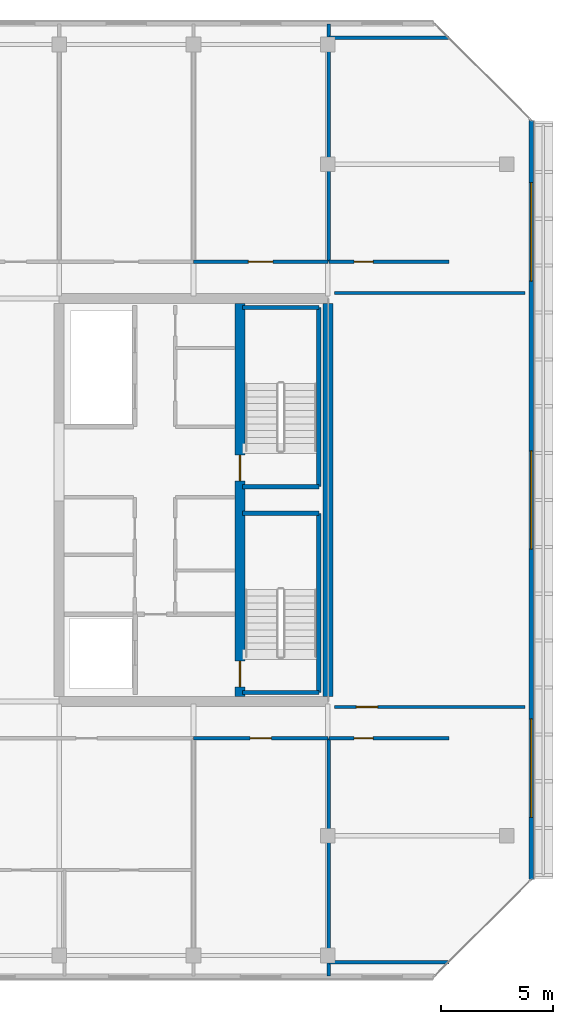
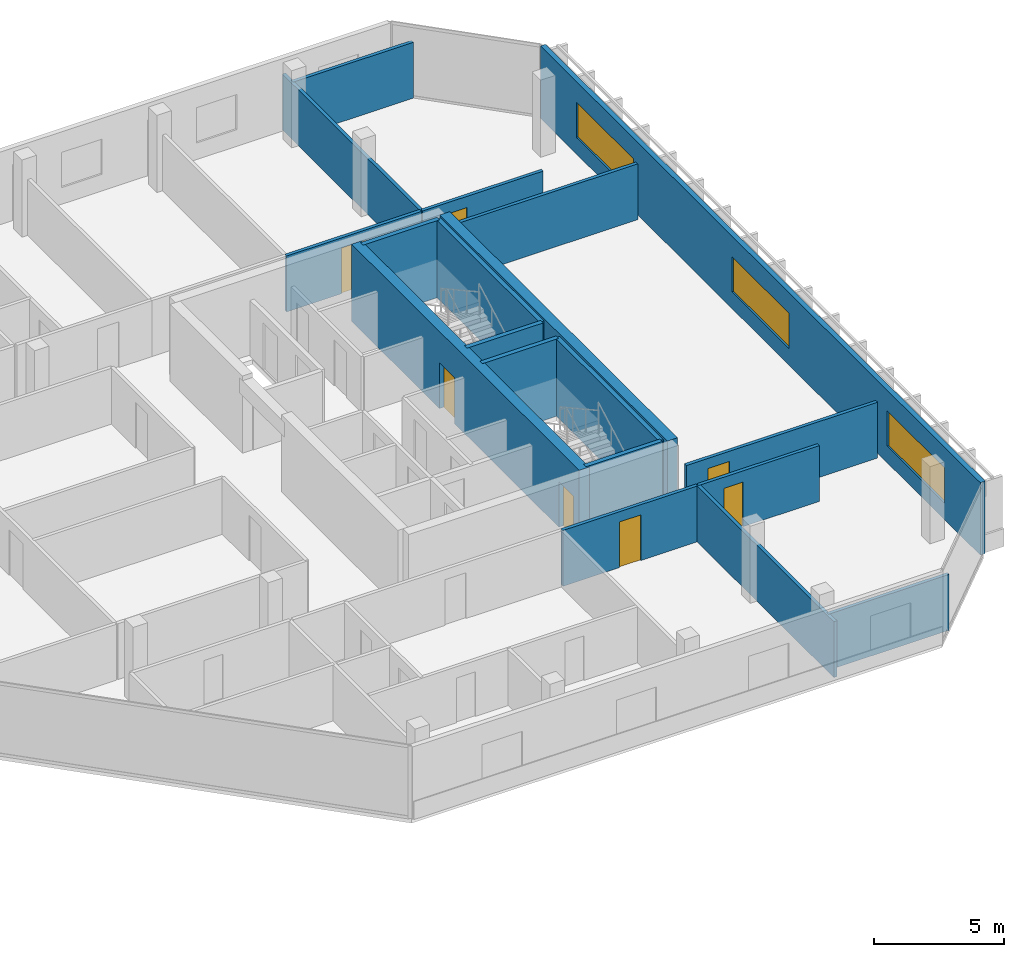
# One storey, part 24 of 28: 19 walls, 7 doors, 3 windows, 10 openings.
"""IFC4 building model written with IfcOpenShell, lengths in metres."""

from ifc_helpers import new_model, si_unit, direction, frame, frame_2d, origin, place, context, subcontext, project, spatial, rectangle, extrude, material, layer, layer_set, type_object, element, fill, save


model = new_model("IFC4")

# Units and contexts
model_context = context("Model", 3, precision=1e-05, world=origin(), true_north=direction((0.0, 1.0)))
body_context = subcontext(model_context, "Body", "Model", "MODEL_VIEW")
ifc_project = project(units=[si_unit("LENGTHUNIT", "METRE"), si_unit("AREAUNIT", "SQUARE_METRE"), si_unit("VOLUMEUNIT", "CUBIC_METRE"), si_unit("PLANEANGLEUNIT", "RADIAN"), si_unit("MASSUNIT", "GRAM", prefix="KILO")], contexts=[model_context])

# Site, building, storey
site_placement = place(None, origin())
site = spatial("IfcSite", under=ifc_project, at=site_placement, CompositionType="ELEMENT")
building_placement = place(site_placement, origin())
building = spatial("IfcBuilding", under=site, at=building_placement, Name="Tanjung Sevakor Pilgrim Tower", CompositionType="ELEMENT")
storey_placement = place(building_placement, frame((0.0, 0.0, 246.179931640625)))
storey = spatial("IfcBuildingStorey", under=building, at=storey_placement, Name="L69", CompositionType="ELEMENT", Elevation=246.179931640625)

# Wall
ifc_material_1 = material(Name="Concrete C60/75", Category="concrete")
ifc_layer_1 = layer(ifc_material_1, 0.449951171875)
ifc_layer_set_1 = layer_set([ifc_layer_1], Name="WALL-CW-450")
wall_type_1 = type_object("IfcWallType", Name="WALL-CW-450", PredefinedType="SHEAR", material=ifc_layer_set_1)
wall_1_placement = place(storey_placement, frame((90.0, 24.824951171875, 0.0), z_axis=(0.0, 0.0, 1.0), x_axis=(0.0, 1.0, 0.0)))
element("IfcWall", 1, at=wall_1_placement, inside=storey, type_object=wall_type_1, Name="L69 E Core Outer Shear Wall", PredefinedType="SHEAR", context=body_context, shape_type="SweptSolid", body=[
    extrude(rectangle(XDim=17.550048828125, YDim=0.449951171875, at=frame_2d((8.77490234375, 0.0))), origin(), (0.0, 0.0, 1.0), 3.630126953125),
])

# Wall, openings, doors
wall_2_placement = place(storey_placement, frame((86.074951171875, 24.824951171875, 0.0), z_axis=(0.0, 0.0, 1.0), x_axis=(0.0, 1.0, 0.0)))
wall_2 = element("IfcWall", 2, at=wall_2_placement, inside=storey, type_object=wall_type_1, Name="L69 E Core Stair Spine Wall", PredefinedType="SHEAR", context=body_context, shape_type="SweptSolid", body=[
    extrude(rectangle(XDim=17.550048828125, YDim=0.449951171875, at=frame_2d((8.77490234375, 0.0))), origin(), (0.0, 0.0, 1.0), 3.630126953125),
])
opening_1_placement = place(wall_2_placement, frame((0.425048828125, 0.0, 0.0)))
opening_1 = element("IfcOpeningElement", 3, at=opening_1_placement, cuts=wall_2, Name="Opening ID-ST1", PredefinedType="OPENING", context=body_context, shape_type="SweptSolid", body=[
    extrude(rectangle(XDim=1.14990234375, YDim=2.14990234375, at=frame_2d((0.574951171875, 1.074951171875))), frame((0.0, 0.23486328125, 0.0), z_axis=(0.0, -1.0, 0.0), x_axis=(1.0, 0.0, 0.0)), (0.0, 0.0, 1.0), 0.469970703125),
])
opening_2_placement = place(wall_2_placement, frame((9.625, 0.0, 0.0)))
opening_2 = element("IfcOpeningElement", 4, at=opening_2_placement, cuts=wall_2, Name="Opening ID-ST1", PredefinedType="OPENING", context=body_context, shape_type="SweptSolid", body=[
    extrude(rectangle(XDim=1.14990234375, YDim=2.14990234375, at=frame_2d((0.574951171875, 1.074951171875))), frame((0.0, 0.23486328125, 0.0), z_axis=(0.0, -1.0, 0.0), x_axis=(1.0, 0.0, 0.0)), (0.0, 0.0, 1.0), 0.469970703125),
])
ifc_material_2 = material(Name="Fire-Rated Steel S355J2", Category="steel")
door_type_1 = type_object("IfcDoorType", Name="DT-FIRE-1150", OperationType="NOTDEFINED", PredefinedType="DOOR", material=ifc_material_2)
door_1_placement = place(opening_1_placement, origin())
door_1 = element("IfcDoor", 5, at=door_1_placement, inside=storey, type_object=door_type_1, Name="L69 TS-E1 Stair Fire Door", OperationType="SINGLE_SWING_LEFT", OverallHeight=2.14990234375, OverallWidth=1.14990234375, PredefinedType="DOOR", context=body_context, shape_type="SweptSolid", body=[
    extrude(rectangle(XDim=1.14990234375, YDim=2.14990234375, at=frame_2d((0.574951171875, 1.074951171875))), frame((0.0, 0.02490234375, 0.0), z_axis=(0.0, -1.0, 0.0), x_axis=(1.0, 0.0, 0.0)), (0.0, 0.0, 1.0), 0.050048828125),
])
fill(opening_1, door_1)
door_2_placement = place(opening_2_placement, origin())
door_2 = element("IfcDoor", 6, at=door_2_placement, inside=storey, type_object=door_type_1, Name="L69 TS-E2 Stair Fire Door", OperationType="SINGLE_SWING_RIGHT", OverallHeight=2.14990234375, OverallWidth=1.14990234375, PredefinedType="DOOR", context=body_context, shape_type="SweptSolid", body=[
    extrude(rectangle(XDim=1.14990234375, YDim=2.14990234375, at=frame_2d((0.574951171875, 1.074951171875))), frame((0.0, 0.02490234375, 0.0), z_axis=(0.0, -1.0, 0.0), x_axis=(1.0, 0.0, 0.0)), (0.0, 0.0, 1.0), 0.050048828125),
])
fill(opening_2, door_2)

# Wall, opening, door
ifc_material_3 = material(Name="Concrete C40/50", Category="concrete")
ifc_layer_2 = layer(ifc_material_3, 0.14990234375)
ifc_layer_set_2 = layer_set([ifc_layer_2], Name="WT-COMP-150")
wall_type_2 = type_object("IfcWallType", Name="WT-COMP-150", PredefinedType="SOLIDWALL", material=ifc_layer_set_2)
wall_3_placement = place(storey_placement, frame((90.300048828125, 24.35009765625, 0.0), z_axis=(0.0, 0.0, 1.0), x_axis=(1.0, 0.0, 0.0)))
wall_3 = element("IfcWall", 7, at=wall_3_placement, inside=storey, type_object=wall_type_2, Name="L69 Partition IW-L69-043", PredefinedType="SOLIDWALL", context=body_context, shape_type="SweptSolid", body=[
    extrude(rectangle(XDim=8.52001953125, YDim=0.14990234375, at=frame_2d((4.260009765625, 0.0))), origin(), (0.0, 0.0, 1.0), 2.6298828125),
])
opening_3_placement = place(wall_3_placement, frame((0.97509765625, 0.0, 0.0)))
opening_3 = element("IfcOpeningElement", 8, at=opening_3_placement, cuts=wall_3, Name="Opening ID-RM1", PredefinedType="OPENING", context=body_context, shape_type="SweptSolid", body=[
    extrude(rectangle(XDim=0.949951171875, YDim=2.14990234375, at=frame_2d((0.47509765625, 1.074951171875))), frame((0.0, 0.0849609375, 0.0), z_axis=(0.0, -1.0, 0.0), x_axis=(1.0, 0.0, 0.0)), (0.0, 0.0, 1.0), 0.169921875),
])
ifc_material_4 = material(Name="Hardwood Timber", Category="wood")
door_type_2 = type_object("IfcDoorType", Name="DT-INT-950", OperationType="NOTDEFINED", PredefinedType="DOOR", material=ifc_material_4)
door_3_placement = place(opening_3_placement, origin())
door_3 = element("IfcDoor", 9, at=door_3_placement, inside=storey, type_object=door_type_2, Name="L69 East Crown Sanctuary Door", OperationType="SINGLE_SWING_RIGHT", OverallHeight=2.14990234375, OverallWidth=0.949951171875, PredefinedType="DOOR", context=body_context, shape_type="SweptSolid", body=[
    extrude(rectangle(XDim=0.949951171875, YDim=2.14990234375, at=frame_2d((0.47509765625, 1.074951171875))), frame((0.0, 0.02490234375, 0.0), z_axis=(0.0, -1.0, 0.0), x_axis=(1.0, 0.0, 0.0)), (0.0, 0.0, 1.0), 0.050048828125),
])
fill(opening_3, door_3)

# Walls
wall_4_placement = place(storey_placement, frame((90.300048828125, 42.85009765625, 0.0), z_axis=(0.0, 0.0, 1.0), x_axis=(1.0, 0.0, 0.0)))
element("IfcWall", 10, at=wall_4_placement, inside=storey, type_object=wall_type_2, Name="L69 Partition IW-L69-044", PredefinedType="SOLIDWALL", context=body_context, shape_type="SweptSolid", body=[
    extrude(rectangle(XDim=8.52001953125, YDim=0.14990234375, at=frame_2d((4.260009765625, 0.0))), origin(), (0.0, 0.0, 1.0), 2.6298828125),
])
wall_5_placement = place(storey_placement, frame((90.050048828125, 12.949951171875, 0.0), z_axis=(0.0, 0.0, 1.0), x_axis=(1.0, 0.0, 0.0)))
element("IfcWall", 11, at=wall_5_placement, inside=storey, type_object=wall_type_2, Name="L69 Partition IW-L69-045", PredefinedType="SOLIDWALL", context=body_context, shape_type="SweptSolid", body=[
    extrude(rectangle(XDim=5.369873046875, YDim=0.14990234375, at=frame_2d((2.68505859375, 0.0))), origin(), (0.0, 0.0, 1.0), 2.6298828125),
])

# Wall, opening, door
wall_6_placement = place(storey_placement, frame((90.050048828125, 22.949951171875, 0.0), z_axis=(0.0, 0.0, 1.0), x_axis=(1.0, 0.0, 0.0)))
wall_6 = element("IfcWall", 12, at=wall_6_placement, inside=storey, type_object=wall_type_2, Name="L69 Partition IW-L69-046", PredefinedType="SOLIDWALL", context=body_context, shape_type="SweptSolid", body=[
    extrude(rectangle(XDim=5.369873046875, YDim=0.14990234375, at=frame_2d((2.68505859375, 0.0))), origin(), (0.0, 0.0, 1.0), 2.6298828125),
])
opening_4_placement = place(wall_6_placement, frame((1.125, 0.0, 0.0)))
opening_4 = element("IfcOpeningElement", 13, at=opening_4_placement, cuts=wall_6, Name="Opening ID-WC1", PredefinedType="OPENING", context=body_context, shape_type="SweptSolid", body=[
    extrude(rectangle(XDim=0.85009765625, YDim=2.10009765625, at=frame_2d((0.425048828125, 1.050048828125))), frame((0.0, 0.0849609375, 0.0), z_axis=(0.0, -1.0, 0.0), x_axis=(1.0, 0.0, 0.0)), (0.0, 0.0, 1.0), 0.169921875),
])
ifc_material_5 = material(Name="Moisture-Resistant Timber", Category="wood")
door_type_3 = type_object("IfcDoorType", Name="DT-INT-850", OperationType="NOTDEFINED", PredefinedType="DOOR", material=ifc_material_5)
door_4_placement = place(opening_4_placement, origin())
door_4 = element("IfcDoor", 14, at=door_4_placement, inside=storey, type_object=door_type_3, Name="L69 SE Crown Study Door", OperationType="SINGLE_SWING_LEFT", OverallHeight=2.10009765625, OverallWidth=0.85009765625, PredefinedType="DOOR", context=body_context, shape_type="SweptSolid", body=[
    extrude(rectangle(XDim=0.85009765625, YDim=2.10009765625, at=frame_2d((0.425048828125, 1.050048828125))), frame((0.0, 0.02490234375, 0.0), z_axis=(0.0, -1.0, 0.0), x_axis=(1.0, 0.0, 0.0)), (0.0, 0.0, 1.0), 0.050048828125),
])
fill(opening_4, door_4)

# Wall
wall_7_placement = place(storey_placement, frame((90.050048828125, 12.340087890625, 0.0), z_axis=(0.0, 0.0, 1.0), x_axis=(0.0, 1.0, 0.0)))
element("IfcWall", 15, at=wall_7_placement, inside=storey, type_object=wall_type_2, Name="L69 Partition IW-L69-047", PredefinedType="SOLIDWALL", context=body_context, shape_type="SweptSolid", body=[
    extrude(rectangle(XDim=10.60986328125, YDim=0.14990234375, at=frame_2d((5.304931640625, 0.0))), origin(), (0.0, 0.0, 1.0), 2.6298828125),
])

# Wall, opening, door
wall_8_placement = place(storey_placement, frame((90.050048828125, 44.25, 0.0), z_axis=(0.0, 0.0, 1.0), x_axis=(1.0, 0.0, 0.0)))
wall_8 = element("IfcWall", 16, at=wall_8_placement, inside=storey, type_object=wall_type_2, Name="L69 Partition IW-L69-048", PredefinedType="SOLIDWALL", context=body_context, shape_type="SweptSolid", body=[
    extrude(rectangle(XDim=5.369873046875, YDim=0.14990234375, at=frame_2d((2.68505859375, 0.0))), origin(), (0.0, 0.0, 1.0), 2.6298828125),
])
opening_5_placement = place(wall_8_placement, frame((1.125, 0.0, 0.0)))
opening_5 = element("IfcOpeningElement", 17, at=opening_5_placement, cuts=wall_8, Name="Opening ID-WC1", PredefinedType="OPENING", context=body_context, shape_type="SweptSolid", body=[
    extrude(rectangle(XDim=0.85009765625, YDim=2.10009765625, at=frame_2d((0.425048828125, 1.050048828125))), frame((0.0, 0.0849609375, 0.0), z_axis=(0.0, -1.0, 0.0), x_axis=(1.0, 0.0, 0.0)), (0.0, 0.0, 1.0), 0.169921875),
])
door_5_placement = place(opening_5_placement, origin())
door_5 = element("IfcDoor", 18, at=door_5_placement, inside=storey, type_object=door_type_3, Name="L69 NE Crown Lounge Door", OperationType="SINGLE_SWING_RIGHT", OverallHeight=2.10009765625, OverallWidth=0.85009765625, PredefinedType="DOOR", context=body_context, shape_type="SweptSolid", body=[
    extrude(rectangle(XDim=0.85009765625, YDim=2.10009765625, at=frame_2d((0.425048828125, 1.050048828125))), frame((0.0, 0.02490234375, 0.0), z_axis=(0.0, -1.0, 0.0), x_axis=(1.0, 0.0, 0.0)), (0.0, 0.0, 1.0), 0.050048828125),
])
fill(opening_5, door_5)

# Walls
wall_9_placement = place(storey_placement, frame((90.050048828125, 54.25, 0.0), z_axis=(0.0, 0.0, 1.0), x_axis=(1.0, 0.0, 0.0)))
element("IfcWall", 19, at=wall_9_placement, inside=storey, type_object=wall_type_2, Name="L69 Partition IW-L69-049", PredefinedType="SOLIDWALL", context=body_context, shape_type="SweptSolid", body=[
    extrude(rectangle(XDim=5.369873046875, YDim=0.14990234375, at=frame_2d((2.68505859375, 0.0))), origin(), (0.0, 0.0, 1.0), 2.6298828125),
])
wall_10_placement = place(storey_placement, frame((90.050048828125, 44.25, 0.0), z_axis=(0.0, 0.0, 1.0), x_axis=(0.0, 1.0, 0.0)))
element("IfcWall", 20, at=wall_10_placement, inside=storey, type_object=wall_type_2, Name="L69 Partition IW-L69-050", PredefinedType="SOLIDWALL", context=body_context, shape_type="SweptSolid", body=[
    extrude(rectangle(XDim=10.610107421875, YDim=0.14990234375, at=frame_2d((5.30517578125, 0.0))), origin(), (0.0, 0.0, 1.0), 2.6298828125),
])

# Wall, opening, door
wall_11_placement = place(storey_placement, frame((84.0, 22.949951171875, 0.0), z_axis=(0.0, 0.0, 1.0), x_axis=(1.0, 0.0, 0.0)))
wall_11 = element("IfcWall", 21, at=wall_11_placement, inside=storey, type_object=wall_type_2, Name="L69 Partition IW-L69-057", PredefinedType="SOLIDWALL", context=body_context, shape_type="SweptSolid", body=[
    extrude(rectangle(XDim=6.0, YDim=0.14990234375, at=frame_2d((3.0, 0.0))), origin(), (0.0, 0.0, 1.0), 2.6298828125),
])
opening_6_placement = place(wall_11_placement, frame((2.52490234375, 0.0, 0.0)))
opening_6 = element("IfcOpeningElement", 22, at=opening_6_placement, cuts=wall_11, Name="Opening ID-FD2", PredefinedType="OPENING", context=body_context, shape_type="SweptSolid", body=[
    extrude(rectangle(XDim=0.949951171875, YDim=2.14990234375, at=frame_2d((0.47509765625, 1.074951171875))), frame((0.0, 0.0849609375, 0.0), z_axis=(0.0, -1.0, 0.0), x_axis=(1.0, 0.0, 0.0)), (0.0, 0.0, 1.0), 0.169921875),
])
ifc_material_6 = material(Name="Fire-Rated Timber", Category="wood")
door_type_4 = type_object("IfcDoorType", Name="DT-FIRE-950", OperationType="NOTDEFINED", PredefinedType="DOOR", material=ifc_material_6)
door_6_placement = place(opening_6_placement, origin())
door_6 = element("IfcDoor", 23, at=door_6_placement, inside=storey, type_object=door_type_4, Name="Housekeeping Pantry Door", OperationType="SINGLE_SWING_RIGHT", OverallHeight=2.14990234375, OverallWidth=0.949951171875, PredefinedType="DOOR", context=body_context, shape_type="SweptSolid", body=[
    extrude(rectangle(XDim=0.949951171875, YDim=2.14990234375, at=frame_2d((0.47509765625, 1.074951171875))), frame((0.0, 0.02490234375, 0.0), z_axis=(0.0, -1.0, 0.0), x_axis=(1.0, 0.0, 0.0)), (0.0, 0.0, 1.0), 0.050048828125),
])
fill(opening_6, door_6)

wall_12_placement = place(storey_placement, frame((84.0, 44.25, 0.0), z_axis=(0.0, 0.0, 1.0), x_axis=(1.0, 0.0, 0.0)))
wall_12 = element("IfcWall", 24, at=wall_12_placement, inside=storey, type_object=wall_type_2, Name="L69 Partition IW-L69-064", PredefinedType="SOLIDWALL", context=body_context, shape_type="SweptSolid", body=[
    extrude(rectangle(XDim=6.0, YDim=0.14990234375, at=frame_2d((3.0, 0.0))), origin(), (0.0, 0.0, 1.0), 2.6298828125),
])
opening_7_placement = place(wall_12_placement, frame((2.449951171875, 0.0, 0.0)))
opening_7 = element("IfcOpeningElement", 25, at=opening_7_placement, cuts=wall_12, Name="Opening ID-FD0", PredefinedType="OPENING", context=body_context, shape_type="SweptSolid", body=[
    extrude(rectangle(XDim=1.10009765625, YDim=2.14990234375, at=frame_2d((0.550048828125, 1.074951171875))), frame((0.0, 0.0849609375, 0.0), z_axis=(0.0, -1.0, 0.0), x_axis=(1.0, 0.0, 0.0)), (0.0, 0.0, 1.0), 0.169921875),
])
ifc_material_7 = material(Name="Fire-Rated Steel S355J2", Category="steel")
door_type_5 = type_object("IfcDoorType", Name="DT-FIRE-1100", OperationType="NOTDEFINED", PredefinedType="DOOR", material=ifc_material_7)
door_7_placement = place(opening_7_placement, origin())
door_7 = element("IfcDoor", 26, at=door_7_placement, inside=storey, type_object=door_type_5, Name="Communal Lounge Door", OperationType="SINGLE_SWING_LEFT", OverallHeight=2.14990234375, OverallWidth=1.10009765625, PredefinedType="DOOR", context=body_context, shape_type="SweptSolid", body=[
    extrude(rectangle(XDim=1.10009765625, YDim=2.14990234375, at=frame_2d((0.550048828125, 1.074951171875))), frame((0.0, 0.02490234375, 0.0), z_axis=(0.0, -1.0, 0.0), x_axis=(1.0, 0.0, 0.0)), (0.0, 0.0, 1.0), 0.050048828125),
])
fill(opening_7, door_7)

# Wall, openings, windows
ifc_material_8 = material(Name="Precast concrete C45/55", Category="concrete")
ifc_layer_3 = layer(ifc_material_8, 0.219970703125)
ifc_layer_set_3 = layer_set([ifc_layer_3], Name="WT-EW-STN4")
wall_type_3 = type_object("IfcWallType", Name="WT-EW-STN4", PredefinedType="SOLIDWALL", material=ifc_layer_set_3)
wall_13_placement = place(storey_placement, frame((99.090087890625, 16.6455078125, 0.0), z_axis=(0.0, 0.0, 1.0), x_axis=(0.0, 1.0, 0.0)))
wall_13 = element("IfcWall", 27, at=wall_13_placement, inside=storey, type_object=wall_type_3, Name="L69 EAST Exterior Wall 3", PredefinedType="SOLIDWALL", context=body_context, shape_type="SweptSolid", body=[
    extrude(rectangle(XDim=33.908935546875, YDim=0.219970703125, at=frame_2d((16.95458984375, 0.0))), origin(), (0.0, 0.0, 1.0), 3.409912109375),
])
opening_8_placement = place(wall_13_placement, frame((14.75439453125, 0.0, 0.780029296875)))
opening_8 = element("IfcOpeningElement", 28, at=opening_8_placement, cuts=wall_13, Name="Opening WN-ENDW-1660", PredefinedType="OPENING", context=body_context, shape_type="SweptSolid", body=[
    extrude(rectangle(XDim=4.39990234375, YDim=1.659912109375, at=frame_2d((2.199951171875, 0.830078125))), frame((0.0, 0.119873046875, 0.0), z_axis=(0.0, -1.0, 0.0), x_axis=(1.0, 0.0, 0.0)), (0.0, 0.0, 1.0), 0.239990234375),
])
opening_9_placement = place(wall_13_placement, frame((2.772216796875, 0.0, 0.780029296875)))
opening_9 = element("IfcOpeningElement", 29, at=opening_9_placement, cuts=wall_13, Name="Opening WN-ENDW-1660", PredefinedType="OPENING", context=body_context, shape_type="SweptSolid", body=[
    extrude(rectangle(XDim=4.39990234375, YDim=1.659912109375, at=frame_2d((2.199951171875, 0.830078125))), frame((0.0, 0.119873046875, 0.0), z_axis=(0.0, -1.0, 0.0), x_axis=(1.0, 0.0, 0.0)), (0.0, 0.0, 1.0), 0.239990234375),
])
opening_10_placement = place(wall_13_placement, frame((26.736572265625, 0.0, 0.780029296875)))
opening_10 = element("IfcOpeningElement", 30, at=opening_10_placement, cuts=wall_13, Name="Opening WN-ENDW-1660", PredefinedType="OPENING", context=body_context, shape_type="SweptSolid", body=[
    extrude(rectangle(XDim=4.39990234375, YDim=1.659912109375, at=frame_2d((2.199951171875, 0.830078125))), frame((0.0, 0.119873046875, 0.0), z_axis=(0.0, -1.0, 0.0), x_axis=(1.0, 0.0, 0.0)), (0.0, 0.0, 1.0), 0.239990234375),
])
ifc_material_9 = material(Name="Thermally Broken Aluminium and Low-E Glass", Category="aluminium")
window_type = type_object("IfcWindowType", Name="WTYP-WN-ENDW-1660", PartitioningType="DOUBLE_PANEL_VERTICAL", PredefinedType="WINDOW", material=ifc_material_9)
window_1_placement = place(opening_8_placement, origin())
window_1 = element("IfcWindow", 31, at=window_1_placement, inside=storey, type_object=window_type, Name="L69 Facade Window 01", OverallHeight=1.659912109375, OverallWidth=4.39990234375, PartitioningType="SINGLE_PANEL", PredefinedType="WINDOW", context=body_context, shape_type="SweptSolid", body=[
    extrude(rectangle(XDim=4.39990234375, YDim=1.659912109375, at=frame_2d((2.199951171875, 0.830078125))), frame((0.0, 0.030029296875, 0.0), z_axis=(0.0, -1.0, 0.0), x_axis=(1.0, 0.0, 0.0)), (0.0, 0.0, 1.0), 0.06005859375),
])
fill(opening_8, window_1)
window_2_placement = place(opening_9_placement, origin())
window_2 = element("IfcWindow", 32, at=window_2_placement, inside=storey, type_object=window_type, Name="L69 Facade Window 02", OverallHeight=1.659912109375, OverallWidth=4.39990234375, PartitioningType="SINGLE_PANEL", PredefinedType="WINDOW", context=body_context, shape_type="SweptSolid", body=[
    extrude(rectangle(XDim=4.39990234375, YDim=1.659912109375, at=frame_2d((2.199951171875, 0.830078125))), frame((0.0, 0.030029296875, 0.0), z_axis=(0.0, -1.0, 0.0), x_axis=(1.0, 0.0, 0.0)), (0.0, 0.0, 1.0), 0.06005859375),
])
fill(opening_9, window_2)
window_3_placement = place(opening_10_placement, origin())
window_3 = element("IfcWindow", 33, at=window_3_placement, inside=storey, type_object=window_type, Name="L69 Facade Window 03", OverallHeight=1.659912109375, OverallWidth=4.39990234375, PartitioningType="SINGLE_PANEL", PredefinedType="WINDOW", context=body_context, shape_type="SweptSolid", body=[
    extrude(rectangle(XDim=4.39990234375, YDim=1.659912109375, at=frame_2d((2.199951171875, 0.830078125))), frame((0.0, 0.030029296875, 0.0), z_axis=(0.0, -1.0, 0.0), x_axis=(1.0, 0.0, 0.0)), (0.0, 0.0, 1.0), 0.06005859375),
])
fill(opening_10, window_3)

# Walls
ifc_material_10 = material(Name="Concrete C40/50", Category="concrete")
ifc_layer_4 = layer(ifc_material_10, 0.199951171875)
ifc_layer_set_4 = layer_set([ifc_layer_4], Name="WT-FIRE-200")
wall_type_4 = type_object("IfcWallType", Name="WT-FIRE-200", PredefinedType="SOLIDWALL", material=ifc_layer_set_4)
wall_14_placement = place(storey_placement, frame((86.199951171875, 25.0, 0.0), z_axis=(0.0, 0.0, 1.0), x_axis=(1.0, 0.0, 0.0)))
element("IfcWall", 34, at=wall_14_placement, inside=storey, type_object=wall_type_4, Name="L69 TS-E1 Shaft Wall 1", PredefinedType="SOLIDWALL", context=body_context, shape_type="SweptSolid", body=[
    extrude(rectangle(XDim=3.400146484375, YDim=0.199951171875, at=frame_2d((1.7001953125, 0.0))), origin(), (0.0, 0.0, 1.0), 3.630126953125),
])
wall_15_placement = place(storey_placement, frame((89.60009765625, 25.0, 0.0), z_axis=(0.0, 0.0, 1.0), x_axis=(0.0, 1.0, 0.0)))
element("IfcWall", 35, at=wall_15_placement, inside=storey, type_object=wall_type_4, Name="L69 TS-E1 Shaft Wall 2", PredefinedType="SOLIDWALL", context=body_context, shape_type="SweptSolid", body=[
    extrude(rectangle(XDim=8.0, YDim=0.199951171875, at=frame_2d((4.0, 0.0))), origin(), (0.0, 0.0, 1.0), 3.630126953125),
])
for number, where, z_axis, x_axis, name in (
    (36, (89.60009765625, 33.0, 0.0), (0.0, 0.0, 1.0), (-1.0, 0.0, 0.0), "L69 TS-E1 Shaft Wall 3"),
    (37, (86.199951171875, 34.199951171875, 0.0), (0.0, 0.0, 1.0), (1.0, 0.0, 0.0), "L69 TS-E2 Shaft Wall 1"),
):
    element("IfcWall", number, at=place(storey_placement, frame(where, z_axis=z_axis, x_axis=x_axis)), inside=storey, type_object=wall_type_4, Name=name, PredefinedType="SOLIDWALL", context=body_context, shape_type="SweptSolid", body=[
        extrude(rectangle(XDim=3.400146484375, YDim=0.199951171875, at=frame_2d((1.7001953125, 0.0))), origin(), (0.0, 0.0, 1.0), 3.630126953125),
    ])
wall_16_placement = place(storey_placement, frame((89.60009765625, 34.199951171875, 0.0), z_axis=(0.0, 0.0, 1.0), x_axis=(0.0, 1.0, 0.0)))
element("IfcWall", 38, at=wall_16_placement, inside=storey, type_object=wall_type_4, Name="L69 TS-E2 Shaft Wall 2", PredefinedType="SOLIDWALL", context=body_context, shape_type="SweptSolid", body=[
    extrude(rectangle(XDim=8.0, YDim=0.199951171875, at=frame_2d((4.0, 0.0))), origin(), (0.0, 0.0, 1.0), 3.630126953125),
])
wall_17_placement = place(storey_placement, frame((89.60009765625, 42.199951171875, 0.0), z_axis=(0.0, 0.0, 1.0), x_axis=(-1.0, 0.0, 0.0)))
element("IfcWall", 39, at=wall_17_placement, inside=storey, type_object=wall_type_4, Name="L69 TS-E2 Shaft Wall 3", PredefinedType="SOLIDWALL", context=body_context, shape_type="SweptSolid", body=[
    extrude(rectangle(XDim=3.400146484375, YDim=0.199951171875, at=frame_2d((1.7001953125, 0.0))), origin(), (0.0, 0.0, 1.0), 3.630126953125),
])

save(model, "model.ifc")
